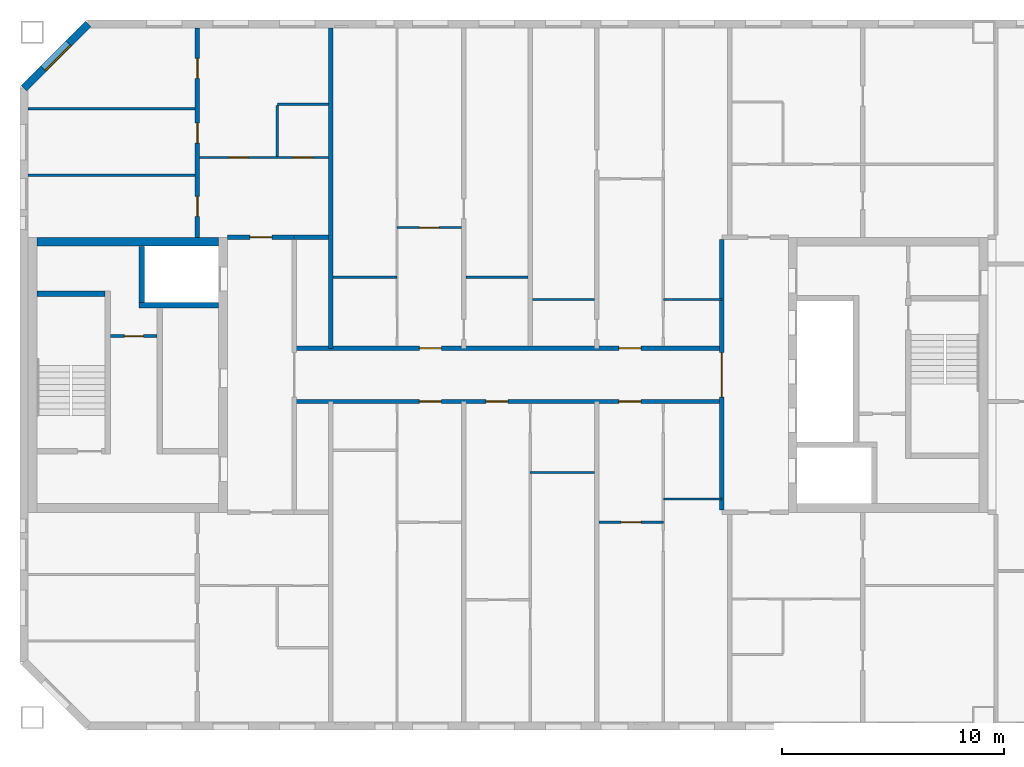
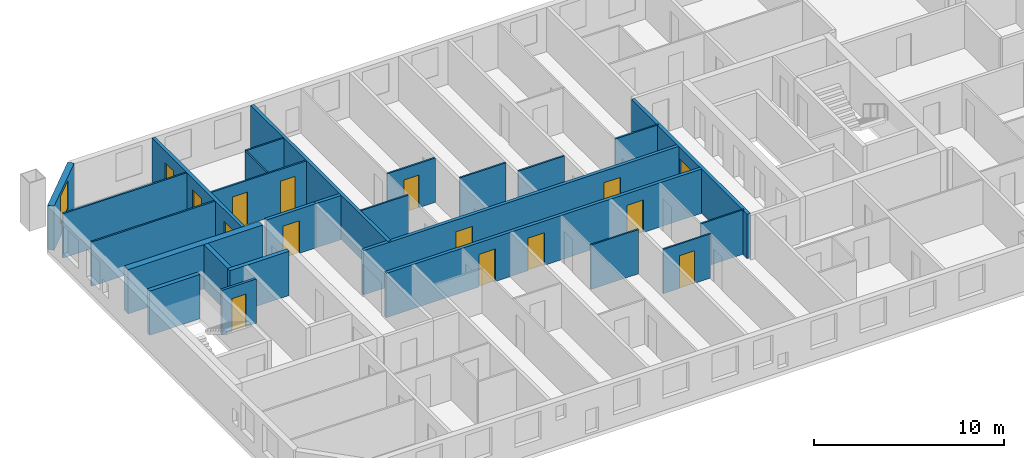
# One storey, part 6 of 19: 26 walls, 15 doors, 1 window, 16 openings.
"""IFC4 building model written with IfcOpenShell, lengths in metres."""

from ifc_helpers import new_model, si_unit, direction, frame, frame_2d, origin, place, context, subcontext, project, spatial, rectangle, extrude, material, layer, layer_set, type_object, element, fill, save


model = new_model("IFC4")

# Units and contexts
model_context = context("Model", 3, precision=1e-05, world=origin(), true_north=direction((0.0, 1.0)))
body_context = subcontext(model_context, "Body", "Model", "MODEL_VIEW")
ifc_project = project(units=[si_unit("LENGTHUNIT", "METRE"), si_unit("AREAUNIT", "SQUARE_METRE"), si_unit("VOLUMEUNIT", "CUBIC_METRE"), si_unit("PLANEANGLEUNIT", "RADIAN"), si_unit("MASSUNIT", "GRAM", prefix="KILO")], contexts=[model_context])

# Site, building, storey
site_placement = place(None, origin())
site = spatial("IfcSite", under=ifc_project, at=site_placement, CompositionType="ELEMENT")
building_placement = place(site_placement, origin())
building = spatial("IfcBuilding", under=site, at=building_placement, Name="Tuart Gate Housing", CompositionType="ELEMENT")
storey_placement = place(building_placement, frame((0.0, 0.0, 224.5)))
storey = spatial("IfcBuildingStorey", under=building, at=storey_placement, Name="L63", CompositionType="ELEMENT", Elevation=224.5)

# Wall, opening, window
ifc_material_1 = material(Name="Brick", Category="masonry")
ifc_layer_1 = layer(ifc_material_1, 0.360107421875)
ifc_layer_set_1 = layer_set([ifc_layer_1], Name="Brick pier and spandrel wall 360")
wall_type_1 = type_object("IfcWallType", Name="Brick pier and spandrel wall 360", PredefinedType="STANDARD", material=ifc_layer_set_1)
wall_1_placement = place(storey_placement, frame((35.07470703125, 85.820068359375, 0.0), z_axis=(0.0, 0.0, 1.0), x_axis=(-0.707106781187, -0.707106781187, 0.0)))
wall_1 = element("IfcWall", 1, at=wall_1_placement, inside=storey, type_object=wall_type_1, Name="External wall BLK-NW L63", PredefinedType="STANDARD", context=body_context, shape_type="SweptSolid", body=[
    extrude(rectangle(XDim=4.09375, YDim=0.360107421875, at=frame_2d((2.046875, 0.0))), origin(), (0.0, 0.0, 1.0), 2.85009765625),
])
opening_1_placement = place(wall_1_placement, frame((1.2470703125, 0.0, 0.800048828125)))
opening_1 = element("IfcOpeningElement", 2, at=opening_1_placement, cuts=wall_1, Name="Opening W1", PredefinedType="OPENING", context=body_context, shape_type="SweptSolid", body=[
    extrude(rectangle(XDim=1.60009765625, YDim=1.800048828125, at=frame_2d((0.800048828125, 0.89990234375))), frame((0.0, 0.18994140625, 0.0), z_axis=(0.0, -1.0, 0.0), x_axis=(1.0, 0.0, 0.0)), (0.0, 0.0, 1.0), 0.380126953125),
])
ifc_material_2 = material(Name="Aluminium frame with clear glass", Category="aluminium")
window_type = type_object("IfcWindowType", Name="Punched window 1600 x 1800", PartitioningType="SINGLE_PANEL", PredefinedType="WINDOW", material=ifc_material_2)
window_placement = place(opening_1_placement, origin())
window = element("IfcWindow", 3, at=window_placement, inside=storey, type_object=window_type, Name="Window W1", OverallHeight=1.800048828125, OverallWidth=1.60009765625, PartitioningType="SINGLE_PANEL", PredefinedType="WINDOW", context=body_context, shape_type="SweptSolid", body=[
    extrude(rectangle(XDim=1.60009765625, YDim=1.800048828125, at=frame_2d((0.800048828125, 0.89990234375))), frame((0.0, 0.150146484375, 0.0), z_axis=(0.0, -1.0, 0.0), x_axis=(1.0, 0.0, 0.0)), (0.0, 0.0, 1.0), 0.06005859375),
])
fill(opening_1, window)

# Wall, opening, door
ifc_material_3 = material(Name="Plasterboard partition")
ifc_layer_2 = layer(ifc_material_3, 0.14990234375)
ifc_layer_set_2 = layer_set([ifc_layer_2], Name="Core partition 150")
wall_type_2 = type_object("IfcWallType", Name="Core partition 150", PredefinedType="PARTITIONING", material=ifc_layer_set_2)
wall_2_placement = place(storey_placement, frame((38.18505859375, 71.75, 0.0), z_axis=(0.0, 0.0, 1.0), x_axis=(-1.0, 0.0, 0.0)))
wall_2 = element("IfcWall", 4, at=wall_2_placement, inside=storey, type_object=wall_type_2, Name="Core partition AK.3", PredefinedType="PARTITIONING", context=body_context, shape_type="SweptSolid", body=[
    extrude(rectangle(XDim=2.10009765625, YDim=0.14990234375, at=frame_2d((1.050048828125, 0.0))), origin(), (0.0, 0.0, 1.0), 2.85009765625),
])
opening_2_placement = place(wall_2_placement, frame((0.625, 0.0, 0.0)))
opening_2 = element("IfcOpeningElement", 5, at=opening_2_placement, cuts=wall_2, Name="Opening D2298", PredefinedType="OPENING", context=body_context, shape_type="SweptSolid", body=[
    extrude(rectangle(XDim=0.85009765625, YDim=2.10009765625, at=frame_2d((0.425048828125, 1.050048828125))), frame((0.0, 0.0849609375, 0.0), z_axis=(0.0, -1.0, 0.0), x_axis=(1.0, 0.0, 0.0)), (0.0, 0.0, 1.0), 0.169921875),
])
ifc_material_4 = material(Name="Steel fire door", Category="steel")
door_type_1 = type_object("IfcDoorType", Name="Riser door 850 x 2100 RH", OperationType="SINGLE_SWING_RIGHT", PredefinedType="DOOR", material=ifc_material_4)
door_1_placement = place(opening_2_placement, frame((0.85009765625, 0.0, 0.0), z_axis=(0.0, 0.0, 1.0), x_axis=(-1.0, 0.0, 0.0)))
door_1 = element("IfcDoor", 6, at=door_1_placement, inside=storey, type_object=door_type_1, Name="Service room door AK.E1", OperationType="SINGLE_SWING_RIGHT", OverallHeight=2.10009765625, OverallWidth=0.85009765625, PredefinedType="DOOR", context=body_context, shape_type="SweptSolid", body=[
    extrude(rectangle(XDim=0.85009765625, YDim=2.10009765625, at=frame_2d((0.425048828125, 1.050048828125))), frame((0.0, 0.025146484375, 0.0), z_axis=(0.0, -1.0, 0.0), x_axis=(1.0, 0.0, 0.0)), (0.0, 0.0, 1.0), 0.050048828125),
])
fill(opening_2, door_1)

# Walls
ifc_material_5 = material(Name="Concrete C40", Category="concrete")
ifc_layer_3 = layer(ifc_material_5, 0.25)
ifc_layer_set_3 = layer_set([ifc_layer_3], Name="Core wall 250 C40")
wall_type_3 = type_object("IfcWallType", Name="Core wall 250 C40", PredefinedType="SHEAR", material=ifc_layer_set_3)
wall_3_placement = place(storey_placement, frame((35.8349609375, 73.64990234375, 0.0), z_axis=(0.0, 0.0, 1.0), x_axis=(-1.0, 0.0, 0.0)))
element("IfcWall", 7, at=wall_3_placement, inside=storey, type_object=wall_type_3, Name="Core wall AK.1", PredefinedType="SHEAR", context=body_context, shape_type="SweptSolid", body=[
    extrude(rectangle(XDim=3.074951171875, YDim=0.25, at=frame_2d((1.53759765625, 0.0))), origin(), (0.0, 0.0, 1.0), 2.85009765625),
])
wall_4_placement = place(storey_placement, frame((40.9599609375, 73.14990234375, 0.0), z_axis=(0.0, 0.0, 1.0), x_axis=(-1.0, 0.0, 0.0)))
element("IfcWall", 8, at=wall_4_placement, inside=storey, type_object=wall_type_3, Name="Core wall AK.2", PredefinedType="SHEAR", context=body_context, shape_type="SweptSolid", body=[
    extrude(rectangle(XDim=3.594970703125, YDim=0.25, at=frame_2d((1.79736328125, 0.0))), origin(), (0.0, 0.0, 1.0), 2.85009765625),
])
wall_5_placement = place(storey_placement, frame((37.489990234375, 75.800048828125, 0.0), z_axis=(0.0, 0.0, 1.0), x_axis=(0.0, -1.0, 0.0)))
element("IfcWall", 9, at=wall_5_placement, inside=storey, type_object=wall_type_3, Name="Core wall AK.7", PredefinedType="SHEAR", context=body_context, shape_type="SweptSolid", body=[
    extrude(rectangle(XDim=2.525146484375, YDim=0.25, at=frame_2d((1.2626953125, 0.0))), origin(), (0.0, 0.0, 1.0), 2.85009765625),
])
ifc_material_6 = material(Name="Concrete C40", Category="concrete")
ifc_layer_4 = layer(ifc_material_6, 0.39990234375)
ifc_layer_set_4 = layer_set([ifc_layer_4], Name="Core wall 400 C40")
wall_type_4 = type_object("IfcWallType", Name="Core wall 400 C40", PredefinedType="SHEAR", material=ifc_layer_set_4)
wall_6_placement = place(storey_placement, frame((40.9599609375, 76.0, 0.0), z_axis=(0.0, 0.0, 1.0), x_axis=(-1.0, 0.0, 0.0)))
element("IfcWall", 10, at=wall_6_placement, inside=storey, type_object=wall_type_4, Name="Core wall AK south", PredefinedType="SHEAR", context=body_context, shape_type="SweptSolid", body=[
    extrude(rectangle(XDim=8.199951171875, YDim=0.39990234375, at=frame_2d((4.10009765625, 0.0))), origin(), (0.0, 0.0, 1.0), 2.85009765625),
])

# Wall, openings, doors
ifc_material_7 = material(Name="Concrete masonry 15 MPa", Category="masonry")
ifc_layer_5 = layer(ifc_material_7, 0.199951171875)
ifc_layer_set_5 = layer_set([ifc_layer_5], Name="Corridor wall masonry 200")
wall_type_5 = type_object("IfcWallType", Name="Corridor wall masonry 200", PredefinedType="PARTITIONING", material=ifc_layer_set_5)
wall_7_placement = place(storey_placement, frame((44.360107421875, 68.800048828125, 0.0), z_axis=(0.0, 0.0, 1.0), x_axis=(1.0, 0.0, 0.0)))
wall_7 = element("IfcWall", 11, at=wall_7_placement, inside=storey, type_object=wall_type_5, Name="Corridor wall masonry 200", PredefinedType="PARTITIONING", context=body_context, shape_type="SweptSolid", body=[
    extrude(rectangle(XDim=19.27978515625, YDim=0.199951171875, at=frame_2d((9.639892578125, 0.0))), origin(), (0.0, 0.0, 1.0), 2.85009765625),
])
opening_3_placement = place(wall_7_placement, frame((14.639892578125, 0.0, 0.0)))
opening_3 = element("IfcOpeningElement", 12, at=opening_3_placement, cuts=wall_7, Name="Opening D2308", PredefinedType="OPENING", context=body_context, shape_type="SweptSolid", body=[
    extrude(rectangle(XDim=1.0, YDim=2.10009765625, at=frame_2d((0.5, 1.050048828125))), frame((0.0, 0.10986328125, 0.0), z_axis=(0.0, -1.0, 0.0), x_axis=(1.0, 0.0, 0.0)), (0.0, 0.0, 1.0), 0.219970703125),
])
opening_4_placement = place(wall_7_placement, frame((8.639892578125, 0.0, 0.0)))
opening_4 = element("IfcOpeningElement", 13, at=opening_4_placement, cuts=wall_7, Name="Opening D2309", PredefinedType="OPENING", context=body_context, shape_type="SweptSolid", body=[
    extrude(rectangle(XDim=1.0, YDim=2.10009765625, at=frame_2d((0.5, 1.050048828125))), frame((0.0, 0.10986328125, 0.0), z_axis=(0.0, -1.0, 0.0), x_axis=(1.0, 0.0, 0.0)), (0.0, 0.0, 1.0), 0.219970703125),
])
opening_5_placement = place(wall_7_placement, frame((5.639892578125, 0.0, 0.0)))
opening_5 = element("IfcOpeningElement", 14, at=opening_5_placement, cuts=wall_7, Name="Opening D2310", PredefinedType="OPENING", context=body_context, shape_type="SweptSolid", body=[
    extrude(rectangle(XDim=1.0, YDim=2.10009765625, at=frame_2d((0.5, 1.050048828125))), frame((0.0, 0.10986328125, 0.0), z_axis=(0.0, -1.0, 0.0), x_axis=(1.0, 0.0, 0.0)), (0.0, 0.0, 1.0), 0.219970703125),
])
ifc_material_8 = material(Name="Timber door leaf in steel frame", Category="steel")
door_type_2 = type_object("IfcDoorType", Name="Flat entrance door 1000 RH", OperationType="SINGLE_SWING_RIGHT", PredefinedType="DOOR", material=ifc_material_8)
door_2_placement = place(opening_3_placement, frame((1.0, 0.0, 0.0), z_axis=(0.0, 0.0, 1.0), x_axis=(-1.0, 0.0, 0.0)))
door_2 = element("IfcDoor", 15, at=door_2_placement, inside=storey, type_object=door_type_2, Name="Flat entrance door", OperationType="SINGLE_SWING_RIGHT", OverallHeight=2.10009765625, OverallWidth=1.0, PredefinedType="DOOR", context=body_context, shape_type="SweptSolid", body=[
    extrude(rectangle(XDim=1.0, YDim=2.10009765625, at=frame_2d((0.5, 1.050048828125))), frame((0.0, 0.025146484375, 0.0), z_axis=(0.0, -1.0, 0.0), x_axis=(1.0, 0.0, 0.0)), (0.0, 0.0, 1.0), 0.050048828125),
])
fill(opening_3, door_2)
door_3_placement = place(opening_4_placement, frame((1.0, 0.0, 0.0), z_axis=(0.0, 0.0, 1.0), x_axis=(-1.0, 0.0, 0.0)))
door_3 = element("IfcDoor", 16, at=door_3_placement, inside=storey, type_object=door_type_2, Name="Flat entrance door", OperationType="SINGLE_SWING_RIGHT", OverallHeight=2.10009765625, OverallWidth=1.0, PredefinedType="DOOR", context=body_context, shape_type="SweptSolid", body=[
    extrude(rectangle(XDim=1.0, YDim=2.10009765625, at=frame_2d((0.5, 1.050048828125))), frame((0.0, 0.025146484375, 0.0), z_axis=(0.0, -1.0, 0.0), x_axis=(1.0, 0.0, 0.0)), (0.0, 0.0, 1.0), 0.050048828125),
])
fill(opening_4, door_3)
door_4_placement = place(opening_5_placement, frame((1.0, 0.0, 0.0), z_axis=(0.0, 0.0, 1.0), x_axis=(-1.0, 0.0, 0.0)))
door_4 = element("IfcDoor", 17, at=door_4_placement, inside=storey, type_object=door_type_2, Name="Flat entrance door", OperationType="SINGLE_SWING_RIGHT", OverallHeight=2.10009765625, OverallWidth=1.0, PredefinedType="DOOR", context=body_context, shape_type="SweptSolid", body=[
    extrude(rectangle(XDim=1.0, YDim=2.10009765625, at=frame_2d((0.5, 1.050048828125))), frame((0.0, 0.025146484375, 0.0), z_axis=(0.0, -1.0, 0.0), x_axis=(1.0, 0.0, 0.0)), (0.0, 0.0, 1.0), 0.050048828125),
])
fill(opening_5, door_4)

wall_8_placement = place(storey_placement, frame((44.360107421875, 71.199951171875, 0.0), z_axis=(0.0, 0.0, 1.0), x_axis=(1.0, 0.0, 0.0)))
wall_8 = element("IfcWall", 18, at=wall_8_placement, inside=storey, type_object=wall_type_5, Name="Corridor wall masonry 200", PredefinedType="PARTITIONING", context=body_context, shape_type="SweptSolid", body=[
    extrude(rectangle(XDim=19.27978515625, YDim=0.199951171875, at=frame_2d((9.639892578125, 0.0))), origin(), (0.0, 0.0, 1.0), 2.85009765625),
])
opening_6_placement = place(wall_8_placement, frame((14.639892578125, 0.0, 0.0)))
opening_6 = element("IfcOpeningElement", 19, at=opening_6_placement, cuts=wall_8, Name="Opening D2299", PredefinedType="OPENING", context=body_context, shape_type="SweptSolid", body=[
    extrude(rectangle(XDim=1.0, YDim=2.10009765625, at=frame_2d((0.5, 1.050048828125))), frame((0.0, 0.10986328125, 0.0), z_axis=(0.0, -1.0, 0.0), x_axis=(1.0, 0.0, 0.0)), (0.0, 0.0, 1.0), 0.219970703125),
])
opening_7_placement = place(wall_8_placement, frame((5.639892578125, 0.0, 0.0)))
opening_7 = element("IfcOpeningElement", 20, at=opening_7_placement, cuts=wall_8, Name="Opening D2300", PredefinedType="OPENING", context=body_context, shape_type="SweptSolid", body=[
    extrude(rectangle(XDim=1.0, YDim=2.10009765625, at=frame_2d((0.5, 1.050048828125))), frame((0.0, 0.10986328125, 0.0), z_axis=(0.0, -1.0, 0.0), x_axis=(1.0, 0.0, 0.0)), (0.0, 0.0, 1.0), 0.219970703125),
])
ifc_material_9 = material(Name="Timber door leaf in steel frame", Category="steel")
door_type_3 = type_object("IfcDoorType", Name="Flat entrance door 1000", OperationType="SINGLE_SWING_LEFT", PredefinedType="DOOR", material=ifc_material_9)
door_5_placement = place(opening_6_placement, origin())
door_5 = element("IfcDoor", 21, at=door_5_placement, inside=storey, type_object=door_type_3, Name="Flat entrance door", OperationType="SINGLE_SWING_LEFT", OverallHeight=2.10009765625, OverallWidth=1.0, PredefinedType="DOOR", context=body_context, shape_type="SweptSolid", body=[
    extrude(rectangle(XDim=1.0, YDim=2.10009765625, at=frame_2d((0.5, 1.050048828125))), frame((0.0, 0.02490234375, 0.0), z_axis=(0.0, -1.0, 0.0), x_axis=(1.0, 0.0, 0.0)), (0.0, 0.0, 1.0), 0.050048828125),
])
fill(opening_6, door_5)
door_6_placement = place(opening_7_placement, origin())
door_6 = element("IfcDoor", 22, at=door_6_placement, inside=storey, type_object=door_type_3, Name="Flat entrance door", OperationType="SINGLE_SWING_LEFT", OverallHeight=2.10009765625, OverallWidth=1.0, PredefinedType="DOOR", context=body_context, shape_type="SweptSolid", body=[
    extrude(rectangle(XDim=1.0, YDim=2.10009765625, at=frame_2d((0.5, 1.050048828125))), frame((0.0, 0.02490234375, 0.0), z_axis=(0.0, -1.0, 0.0), x_axis=(1.0, 0.0, 0.0)), (0.0, 0.0, 1.0), 0.050048828125),
])
fill(opening_7, door_6)

# Wall, opening, door
ifc_material_10 = material(Name="Concrete masonry 15 MPa", Category="masonry")
ifc_layer_6 = layer(ifc_material_10, 0.199951171875)
ifc_layer_set_6 = layer_set([ifc_layer_6], Name="Enclosure wall masonry 200")
wall_type_6 = type_object("IfcWallType", Name="Enclosure wall masonry 200", PredefinedType="PARTITIONING", material=ifc_layer_set_6)
wall_9_placement = place(storey_placement, frame((41.360107421875, 76.199951171875, 0.0), z_axis=(0.0, 0.0, 1.0), x_axis=(1.0, 0.0, 0.0)))
wall_9 = element("IfcWall", 23, at=wall_9_placement, inside=storey, type_object=wall_type_6, Name="Enclosure wall masonry 200", PredefinedType="PARTITIONING", context=body_context, shape_type="SweptSolid", body=[
    extrude(rectangle(XDim=3.0, YDim=0.199951171875, at=frame_2d((1.5, 0.0))), origin(), (0.0, 0.0, 1.0), 2.85009765625),
])
opening_8_placement = place(wall_9_placement, frame((1.0, 0.0, 0.0)))
opening_8 = element("IfcOpeningElement", 24, at=opening_8_placement, cuts=wall_9, Name="Opening D2295", PredefinedType="OPENING", context=body_context, shape_type="SweptSolid", body=[
    extrude(rectangle(XDim=1.0, YDim=2.10009765625, at=frame_2d((0.5, 1.050048828125))), frame((0.0, 0.10986328125, 0.0), z_axis=(0.0, -1.0, 0.0), x_axis=(1.0, 0.0, 0.0)), (0.0, 0.0, 1.0), 0.219970703125),
])
door_7_placement = place(opening_8_placement, origin())
door_7 = element("IfcDoor", 25, at=door_7_placement, inside=storey, type_object=door_type_3, Name="Flat entrance door", OperationType="SINGLE_SWING_LEFT", OverallHeight=2.10009765625, OverallWidth=1.0, PredefinedType="DOOR", context=body_context, shape_type="SweptSolid", body=[
    extrude(rectangle(XDim=1.0, YDim=2.10009765625, at=frame_2d((0.5, 1.050048828125))), frame((0.0, 0.02490234375, 0.0), z_axis=(0.0, -1.0, 0.0), x_axis=(1.0, 0.0, 0.0)), (0.0, 0.0, 1.0), 0.050048828125),
])
fill(opening_8, door_7)

ifc_material_11 = material(Name="Plasterboard partition")
ifc_layer_7 = layer(ifc_material_11, 0.199951171875)
ifc_layer_set_7 = layer_set([ifc_layer_7], Name="Lobby wall 200")
wall_type_7 = type_object("IfcWallType", Name="Lobby wall 200", PredefinedType="PARTITIONING", material=ifc_layer_set_7)
wall_10_placement = place(storey_placement, frame((63.639892578125, 63.89990234375, 0.0), z_axis=(0.0, 0.0, 1.0), x_axis=(0.0, 1.0, 0.0)))
wall_10 = element("IfcWall", 26, at=wall_10_placement, inside=storey, type_object=wall_type_7, Name="Lift lobby wall AG", PredefinedType="PARTITIONING", context=body_context, shape_type="SweptSolid", body=[
    extrude(rectangle(XDim=12.2001953125, YDim=0.199951171875, at=frame_2d((6.10009765625, 0.0))), origin(), (0.0, 0.0, 1.0), 2.85009765625),
])
opening_9_placement = place(wall_10_placement, frame((5.10009765625, 0.0, 0.0)))
opening_9 = element("IfcOpeningElement", 27, at=opening_9_placement, cuts=wall_10, Name="Opening D2304", PredefinedType="OPENING", context=body_context, shape_type="SweptSolid", body=[
    extrude(rectangle(XDim=2.0, YDim=2.10009765625, at=frame_2d((1.0, 1.050048828125))), frame((0.0, 0.10986328125, 0.0), z_axis=(0.0, -1.0, 0.0), x_axis=(1.0, 0.0, 0.0)), (0.0, 0.0, 1.0), 0.219970703125),
])
ifc_material_12 = material(Name="Steel fire door", Category="steel")
door_type_4 = type_object("IfcDoorType", Name="Smoke door 2000 x 2100", OperationType="DOUBLE_DOOR_SINGLE_SWING", PredefinedType="DOOR", material=ifc_material_12)
door_8_placement = place(opening_9_placement, frame((2.0, 0.0, 0.0), z_axis=(0.0, 0.0, 1.0), x_axis=(-1.0, 0.0, 0.0)))
door_8 = element("IfcDoor", 28, at=door_8_placement, inside=storey, type_object=door_type_4, Name="Lift lobby smoke door AG", OperationType="DOUBLE_DOOR_SINGLE_SWING", OverallHeight=2.10009765625, OverallWidth=2.0, PredefinedType="DOOR", context=body_context, shape_type="SweptSolid", body=[
    extrude(rectangle(XDim=2.0, YDim=2.10009765625, at=frame_2d((1.0, 1.050048828125))), frame((0.0, 0.025146484375, 0.0), z_axis=(0.0, -1.0, 0.0), x_axis=(1.0, 0.0, 0.0)), (0.0, 0.0, 1.0), 0.050048828125),
])
fill(opening_9, door_8)

ifc_material_13 = material(Name="Gypsum board on steel studs", Category="steel")
ifc_layer_8 = layer(ifc_material_13, 0.10009765625)
ifc_layer_set_8 = layer_set([ifc_layer_8], Name="Partition 100")
wall_type_8 = type_object("IfcWallType", Name="Partition 100", PredefinedType="PARTITIONING", material=ifc_layer_set_8)
wall_11_placement = place(storey_placement, frame((58.10009765625, 63.360107421875, 0.0), z_axis=(0.0, 0.0, 1.0), x_axis=(1.0, 0.0, 0.0)))
wall_11 = element("IfcWall", 29, at=wall_11_placement, inside=storey, type_object=wall_type_8, Name="Partition 100", PredefinedType="PARTITIONING", context=body_context, shape_type="SweptSolid", body=[
    extrude(rectangle(XDim=2.89990234375, YDim=0.10009765625, at=frame_2d((1.449951171875, 0.0))), origin(), (0.0, 0.0, 1.0), 2.85009765625),
])
opening_10_placement = place(wall_11_placement, frame((1.0, 0.0, 0.0)))
opening_10 = element("IfcOpeningElement", 30, at=opening_10_placement, cuts=wall_11, Name="Opening D2316", PredefinedType="OPENING", context=body_context, shape_type="SweptSolid", body=[
    extrude(rectangle(XDim=0.89990234375, YDim=2.10009765625, at=frame_2d((0.449951171875, 1.050048828125))), frame((0.0, 0.06005859375, 0.0), z_axis=(0.0, -1.0, 0.0), x_axis=(1.0, 0.0, 0.0)), (0.0, 0.0, 1.0), 0.1201171875),
])
ifc_material_14 = material(Name="Timber door leaf in steel frame", Category="steel")
door_type_5 = type_object("IfcDoorType", Name="Internal door 900 RH", OperationType="SINGLE_SWING_RIGHT", PredefinedType="DOOR", material=ifc_material_14)
door_9_placement = place(opening_10_placement, origin())
door_9 = element("IfcDoor", 31, at=door_9_placement, inside=storey, type_object=door_type_5, Name="Internal door", OperationType="SINGLE_SWING_RIGHT", OverallHeight=2.10009765625, OverallWidth=0.89990234375, PredefinedType="DOOR", context=body_context, shape_type="SweptSolid", body=[
    extrude(rectangle(XDim=0.89990234375, YDim=2.10009765625, at=frame_2d((0.449951171875, 1.050048828125))), frame((0.0, 0.02490234375, 0.0), z_axis=(0.0, -1.0, 0.0), x_axis=(1.0, 0.0, 0.0)), (0.0, 0.0, 1.0), 0.050048828125),
])
fill(opening_10, door_9)

# Walls
wall_12_placement = place(storey_placement, frame((61.0, 64.39990234375, 0.0), z_axis=(0.0, 0.0, 1.0), x_axis=(1.0, 0.0, 0.0)))
element("IfcWall", 32, at=wall_12_placement, inside=storey, type_object=wall_type_8, Name="Partition 100", PredefinedType="PARTITIONING", context=body_context, shape_type="SweptSolid", body=[
    extrude(rectangle(XDim=2.639892578125, YDim=0.10009765625, at=frame_2d((1.31982421875, 0.0))), origin(), (0.0, 0.0, 1.0), 2.85009765625),
])
wall_13_placement = place(storey_placement, frame((55.0, 65.60009765625, 0.0), z_axis=(0.0, 0.0, 1.0), x_axis=(1.0, 0.0, 0.0)))
element("IfcWall", 33, at=wall_13_placement, inside=storey, type_object=wall_type_8, Name="Partition 100", PredefinedType="PARTITIONING", context=body_context, shape_type="SweptSolid", body=[
    extrude(rectangle(XDim=2.89990234375, YDim=0.10009765625, at=frame_2d((1.449951171875, 0.0))), origin(), (0.0, 0.0, 1.0), 2.85009765625),
])
wall_14_placement = place(storey_placement, frame((55.10009765625, 73.39990234375, 0.0), z_axis=(0.0, 0.0, 1.0), x_axis=(1.0, 0.0, 0.0)))
element("IfcWall", 34, at=wall_14_placement, inside=storey, type_object=wall_type_8, Name="Partition 100", PredefinedType="PARTITIONING", context=body_context, shape_type="SweptSolid", body=[
    extrude(rectangle(XDim=2.7998046875, YDim=0.10009765625, at=frame_2d((1.39990234375, 0.0))), origin(), (0.0, 0.0, 1.0), 2.85009765625),
])
wall_15_placement = place(storey_placement, frame((61.0, 73.39990234375, 0.0), z_axis=(0.0, 0.0, 1.0), x_axis=(1.0, 0.0, 0.0)))
element("IfcWall", 35, at=wall_15_placement, inside=storey, type_object=wall_type_8, Name="Partition 100", PredefinedType="PARTITIONING", context=body_context, shape_type="SweptSolid", body=[
    extrude(rectangle(XDim=2.639892578125, YDim=0.10009765625, at=frame_2d((1.31982421875, 0.0))), origin(), (0.0, 0.0, 1.0), 2.85009765625),
])
wall_16_placement = place(storey_placement, frame((46.10009765625, 74.39990234375, 0.0), z_axis=(0.0, 0.0, 1.0), x_axis=(1.0, 0.0, 0.0)))
element("IfcWall", 36, at=wall_16_placement, inside=storey, type_object=wall_type_8, Name="Partition 100", PredefinedType="PARTITIONING", context=body_context, shape_type="SweptSolid", body=[
    extrude(rectangle(XDim=2.89990234375, YDim=0.10009765625, at=frame_2d((1.449951171875, 0.0))), origin(), (0.0, 0.0, 1.0), 2.85009765625),
])
wall_17_placement = place(storey_placement, frame((52.10009765625, 74.39990234375, 0.0), z_axis=(0.0, 0.0, 1.0), x_axis=(1.0, 0.0, 0.0)))
element("IfcWall", 37, at=wall_17_placement, inside=storey, type_object=wall_type_8, Name="Partition 100", PredefinedType="PARTITIONING", context=body_context, shape_type="SweptSolid", body=[
    extrude(rectangle(XDim=2.7998046875, YDim=0.10009765625, at=frame_2d((1.39990234375, 0.0))), origin(), (0.0, 0.0, 1.0), 2.85009765625),
])

# Wall, opening, door
wall_18_placement = place(storey_placement, frame((49.0, 76.639892578125, 0.0), z_axis=(0.0, 0.0, 1.0), x_axis=(1.0, 0.0, 0.0)))
wall_18 = element("IfcWall", 38, at=wall_18_placement, inside=storey, type_object=wall_type_8, Name="Partition 100", PredefinedType="PARTITIONING", context=body_context, shape_type="SweptSolid", body=[
    extrude(rectangle(XDim=2.89990234375, YDim=0.10009765625, at=frame_2d((1.449951171875, 0.0))), origin(), (0.0, 0.0, 1.0), 2.85009765625),
])
opening_11_placement = place(wall_18_placement, frame((1.0, 0.0, 0.0)))
opening_11 = element("IfcOpeningElement", 39, at=opening_11_placement, cuts=wall_18, Name="Opening D2294", PredefinedType="OPENING", context=body_context, shape_type="SweptSolid", body=[
    extrude(rectangle(XDim=0.89990234375, YDim=2.10009765625, at=frame_2d((0.449951171875, 1.050048828125))), frame((0.0, 0.06005859375, 0.0), z_axis=(0.0, -1.0, 0.0), x_axis=(1.0, 0.0, 0.0)), (0.0, 0.0, 1.0), 0.1201171875),
])
door_10_placement = place(opening_11_placement, frame((0.89990234375, 0.0, 0.0), z_axis=(0.0, 0.0, 1.0), x_axis=(-1.0, 0.0, 0.0)))
door_10 = element("IfcDoor", 40, at=door_10_placement, inside=storey, type_object=door_type_5, Name="Internal door", OperationType="SINGLE_SWING_RIGHT", OverallHeight=2.10009765625, OverallWidth=0.89990234375, PredefinedType="DOOR", context=body_context, shape_type="SweptSolid", body=[
    extrude(rectangle(XDim=0.89990234375, YDim=2.10009765625, at=frame_2d((0.449951171875, 1.050048828125))), frame((0.0, 0.025146484375, 0.0), z_axis=(0.0, -1.0, 0.0), x_axis=(1.0, 0.0, 0.0)), (0.0, 0.0, 1.0), 0.050048828125),
])
fill(opening_11, door_10)

# Wall
wall_19_placement = place(storey_placement, frame((32.360107421875, 79.0, 0.0), z_axis=(0.0, 0.0, 1.0), x_axis=(1.0, 0.0, 0.0)))
element("IfcWall", 41, at=wall_19_placement, inside=storey, type_object=wall_type_8, Name="Partition 100", PredefinedType="PARTITIONING", context=body_context, shape_type="SweptSolid", body=[
    extrude(rectangle(XDim=7.539794921875, YDim=0.10009765625, at=frame_2d((3.77001953125, 0.0))), origin(), (0.0, 0.0, 1.0), 2.85009765625),
])

# Wall, openings, doors
wall_20_placement = place(storey_placement, frame((40.10009765625, 79.800048828125, 0.0), z_axis=(0.0, 0.0, 1.0), x_axis=(1.0, 0.0, 0.0)))
wall_20 = element("IfcWall", 42, at=wall_20_placement, inside=storey, type_object=wall_type_8, Name="Partition 100", PredefinedType="PARTITIONING", context=body_context, shape_type="SweptSolid", body=[
    extrude(rectangle(XDim=5.7998046875, YDim=0.10009765625, at=frame_2d((2.89990234375, 0.0))), origin(), (0.0, 0.0, 1.0), 2.85009765625),
])
opening_12_placement = place(wall_20_placement, frame((1.300048828125, 0.0, 0.0)))
opening_12 = element("IfcOpeningElement", 43, at=opening_12_placement, cuts=wall_20, Name="Opening D2282", PredefinedType="OPENING", context=body_context, shape_type="SweptSolid", body=[
    extrude(rectangle(XDim=0.89990234375, YDim=2.10009765625, at=frame_2d((0.449951171875, 1.050048828125))), frame((0.0, 0.06005859375, 0.0), z_axis=(0.0, -1.0, 0.0), x_axis=(1.0, 0.0, 0.0)), (0.0, 0.0, 1.0), 0.1201171875),
])
opening_13_placement = place(wall_20_placement, frame((4.199951171875, 0.0, 0.0)))
opening_13 = element("IfcOpeningElement", 44, at=opening_13_placement, cuts=wall_20, Name="Opening D2281", PredefinedType="OPENING", context=body_context, shape_type="SweptSolid", body=[
    extrude(rectangle(XDim=0.89990234375, YDim=2.10009765625, at=frame_2d((0.449951171875, 1.050048828125))), frame((0.0, 0.06005859375, 0.0), z_axis=(0.0, -1.0, 0.0), x_axis=(1.0, 0.0, 0.0)), (0.0, 0.0, 1.0), 0.1201171875),
])
ifc_material_15 = material(Name="Timber door leaf in steel frame", Category="steel")
door_type_6 = type_object("IfcDoorType", Name="Bathroom door 900", OperationType="SINGLE_SWING_LEFT", PredefinedType="DOOR", material=ifc_material_15)
door_11_placement = place(opening_13_placement, origin())
door_11 = element("IfcDoor", 45, at=door_11_placement, inside=storey, type_object=door_type_6, Name="Bathroom door", OperationType="SINGLE_SWING_LEFT", OverallHeight=2.10009765625, OverallWidth=0.89990234375, PredefinedType="DOOR", context=body_context, shape_type="SweptSolid", body=[
    extrude(rectangle(XDim=0.89990234375, YDim=2.10009765625, at=frame_2d((0.449951171875, 1.050048828125))), frame((0.0, 0.02490234375, 0.0), z_axis=(0.0, -1.0, 0.0), x_axis=(1.0, 0.0, 0.0)), (0.0, 0.0, 1.0), 0.050048828125),
])
fill(opening_13, door_11)
door_12_placement = place(opening_12_placement, frame((0.89990234375, 0.0, 0.0), z_axis=(0.0, 0.0, 1.0), x_axis=(-1.0, 0.0, 0.0)))
door_12 = element("IfcDoor", 46, at=door_12_placement, inside=storey, type_object=door_type_5, Name="Internal door", OperationType="SINGLE_SWING_RIGHT", OverallHeight=2.10009765625, OverallWidth=0.89990234375, PredefinedType="DOOR", context=body_context, shape_type="SweptSolid", body=[
    extrude(rectangle(XDim=0.89990234375, YDim=2.10009765625, at=frame_2d((0.449951171875, 1.050048828125))), frame((0.0, 0.025146484375, 0.0), z_axis=(0.0, -1.0, 0.0), x_axis=(1.0, 0.0, 0.0)), (0.0, 0.0, 1.0), 0.050048828125),
])
fill(opening_12, door_12)

# Walls
wall_21_placement = place(storey_placement, frame((32.360107421875, 82.0, 0.0), z_axis=(0.0, 0.0, 1.0), x_axis=(1.0, 0.0, 0.0)))
element("IfcWall", 47, at=wall_21_placement, inside=storey, type_object=wall_type_8, Name="Partition 100", PredefinedType="PARTITIONING", context=body_context, shape_type="SweptSolid", body=[
    extrude(rectangle(XDim=7.539794921875, YDim=0.10009765625, at=frame_2d((3.77001953125, 0.0))), origin(), (0.0, 0.0, 1.0), 2.85009765625),
])
for number, where, z_axis, x_axis, name in (
    (48, (43.60009765625, 82.199951171875, 0.0), (0.0, 0.0, 1.0), (1.0, 0.0, 0.0), "Partition 100"),
    (49, (43.60009765625, 79.85009765625, 0.0), (0.0, 0.0, 1.0), (0.0, 1.0, 0.0), "Partition 100"),
):
    element("IfcWall", number, at=place(storey_placement, frame(where, z_axis=z_axis, x_axis=x_axis)), inside=storey, type_object=wall_type_8, Name=name, PredefinedType="PARTITIONING", context=body_context, shape_type="SweptSolid", body=[
        extrude(rectangle(XDim=2.2998046875, YDim=0.10009765625, at=frame_2d((1.14990234375, 0.0))), origin(), (0.0, 0.0, 1.0), 2.85009765625),
    ])

# Wall, openings, doors
ifc_material_16 = material(Name="Concrete C40", Category="concrete")
ifc_layer_9 = layer(ifc_material_16, 0.199951171875)
ifc_layer_set_9 = layer_set([ifc_layer_9], Name="Party wall concrete C40 200")
wall_type_9 = type_object("IfcWallType", Name="Party wall concrete C40 200", PredefinedType="SOLIDWALL", material=ifc_layer_set_9)
wall_22_placement = place(storey_placement, frame((40.0, 76.199951171875, 0.0), z_axis=(0.0, 0.0, 1.0), x_axis=(0.0, 1.0, 0.0)))
wall_22 = element("IfcWall", 50, at=wall_22_placement, inside=storey, type_object=wall_type_9, Name="Party wall concrete C40 200", PredefinedType="SOLIDWALL", context=body_context, shape_type="SweptSolid", body=[
    extrude(rectangle(XDim=9.43994140625, YDim=0.199951171875, at=frame_2d((4.719970703125, 0.0))), origin(), (0.0, 0.0, 1.0), 2.85009765625),
])
opening_14_placement = place(wall_22_placement, frame((7.169921875, 0.0, 0.0)))
opening_14 = element("IfcOpeningElement", 51, at=opening_14_placement, cuts=wall_22, Name="Opening D2276", PredefinedType="OPENING", context=body_context, shape_type="SweptSolid", body=[
    extrude(rectangle(XDim=0.89990234375, YDim=2.10009765625, at=frame_2d((0.449951171875, 1.050048828125))), frame((0.0, 0.10986328125, 0.0), z_axis=(0.0, -1.0, 0.0), x_axis=(1.0, 0.0, 0.0)), (0.0, 0.0, 1.0), 0.219970703125),
])
opening_15_placement = place(wall_22_placement, frame((4.25, 0.0, 0.0)))
opening_15 = element("IfcOpeningElement", 52, at=opening_15_placement, cuts=wall_22, Name="Opening D2277", PredefinedType="OPENING", context=body_context, shape_type="SweptSolid", body=[
    extrude(rectangle(XDim=0.89990234375, YDim=2.10009765625, at=frame_2d((0.449951171875, 1.050048828125))), frame((0.0, 0.10986328125, 0.0), z_axis=(0.0, -1.0, 0.0), x_axis=(1.0, 0.0, 0.0)), (0.0, 0.0, 1.0), 0.219970703125),
])
opening_16_placement = place(wall_22_placement, frame((0.949951171875, 0.0, 0.0)))
opening_16 = element("IfcOpeningElement", 53, at=opening_16_placement, cuts=wall_22, Name="Opening D2278", PredefinedType="OPENING", context=body_context, shape_type="SweptSolid", body=[
    extrude(rectangle(XDim=0.89990234375, YDim=2.10009765625, at=frame_2d((0.449951171875, 1.050048828125))), frame((0.0, 0.10986328125, 0.0), z_axis=(0.0, -1.0, 0.0), x_axis=(1.0, 0.0, 0.0)), (0.0, 0.0, 1.0), 0.219970703125),
])
ifc_material_17 = material(Name="Timber door leaf in steel frame", Category="steel")
door_type_7 = type_object("IfcDoorType", Name="Internal door 900", OperationType="SINGLE_SWING_LEFT", PredefinedType="DOOR", material=ifc_material_17)
door_13_placement = place(opening_14_placement, origin())
door_13 = element("IfcDoor", 54, at=door_13_placement, inside=storey, type_object=door_type_7, Name="Internal door", OperationType="SINGLE_SWING_LEFT", OverallHeight=2.10009765625, OverallWidth=0.89990234375, PredefinedType="DOOR", context=body_context, shape_type="SweptSolid", body=[
    extrude(rectangle(XDim=0.89990234375, YDim=2.10009765625, at=frame_2d((0.449951171875, 1.050048828125))), frame((0.0, 0.02490234375, 0.0), z_axis=(0.0, -1.0, 0.0), x_axis=(1.0, 0.0, 0.0)), (0.0, 0.0, 1.0), 0.050048828125),
])
fill(opening_14, door_13)
door_14_placement = place(opening_16_placement, origin())
door_14 = element("IfcDoor", 55, at=door_14_placement, inside=storey, type_object=door_type_7, Name="Internal door", OperationType="SINGLE_SWING_LEFT", OverallHeight=2.10009765625, OverallWidth=0.89990234375, PredefinedType="DOOR", context=body_context, shape_type="SweptSolid", body=[
    extrude(rectangle(XDim=0.89990234375, YDim=2.10009765625, at=frame_2d((0.449951171875, 1.050048828125))), frame((0.0, 0.02490234375, 0.0), z_axis=(0.0, -1.0, 0.0), x_axis=(1.0, 0.0, 0.0)), (0.0, 0.0, 1.0), 0.050048828125),
])
fill(opening_16, door_14)
door_15_placement = place(opening_15_placement, origin())
door_15 = element("IfcDoor", 56, at=door_15_placement, inside=storey, type_object=door_type_5, Name="Internal door", OperationType="SINGLE_SWING_RIGHT", OverallHeight=2.10009765625, OverallWidth=0.89990234375, PredefinedType="DOOR", context=body_context, shape_type="SweptSolid", body=[
    extrude(rectangle(XDim=0.89990234375, YDim=2.10009765625, at=frame_2d((0.449951171875, 1.050048828125))), frame((0.0, 0.02490234375, 0.0), z_axis=(0.0, -1.0, 0.0), x_axis=(1.0, 0.0, 0.0)), (0.0, 0.0, 1.0), 0.050048828125),
])
fill(opening_15, door_15)

# Walls
wall_23_placement = place(storey_placement, frame((46.0, 71.199951171875, 0.0), z_axis=(0.0, 0.0, 1.0), x_axis=(0.0, 1.0, 0.0)))
element("IfcWall", 57, at=wall_23_placement, inside=storey, type_object=wall_type_9, Name="Party wall concrete C40 200", PredefinedType="SOLIDWALL", context=body_context, shape_type="SweptSolid", body=[
    extrude(rectangle(XDim=14.43994140625, YDim=0.199951171875, at=frame_2d((7.219970703125, 0.0))), origin(), (0.0, 0.0, 1.0), 2.85009765625),
])
ifc_material_18 = material(Name="Concrete masonry 15 MPa", Category="masonry")
ifc_layer_10 = layer(ifc_material_18, 0.199951171875)
ifc_layer_set_10 = layer_set([ifc_layer_10], Name="Party wall masonry 200")
wall_type_10 = type_object("IfcWallType", Name="Party wall masonry 200", PredefinedType="PARTITIONING", material=ifc_layer_set_10)
wall_24_placement = place(storey_placement, frame((44.360107421875, 76.199951171875, 0.0), z_axis=(0.0, 0.0, 1.0), x_axis=(1.0, 0.0, 0.0)))
element("IfcWall", 58, at=wall_24_placement, inside=storey, type_object=wall_type_10, Name="Party wall masonry 200", PredefinedType="PARTITIONING", context=body_context, shape_type="SweptSolid", body=[
    extrude(rectangle(XDim=1.539794921875, YDim=0.199951171875, at=frame_2d((0.77001953125, 0.0))), origin(), (0.0, 0.0, 1.0), 2.85009765625),
])

save(model, "model.ifc")
